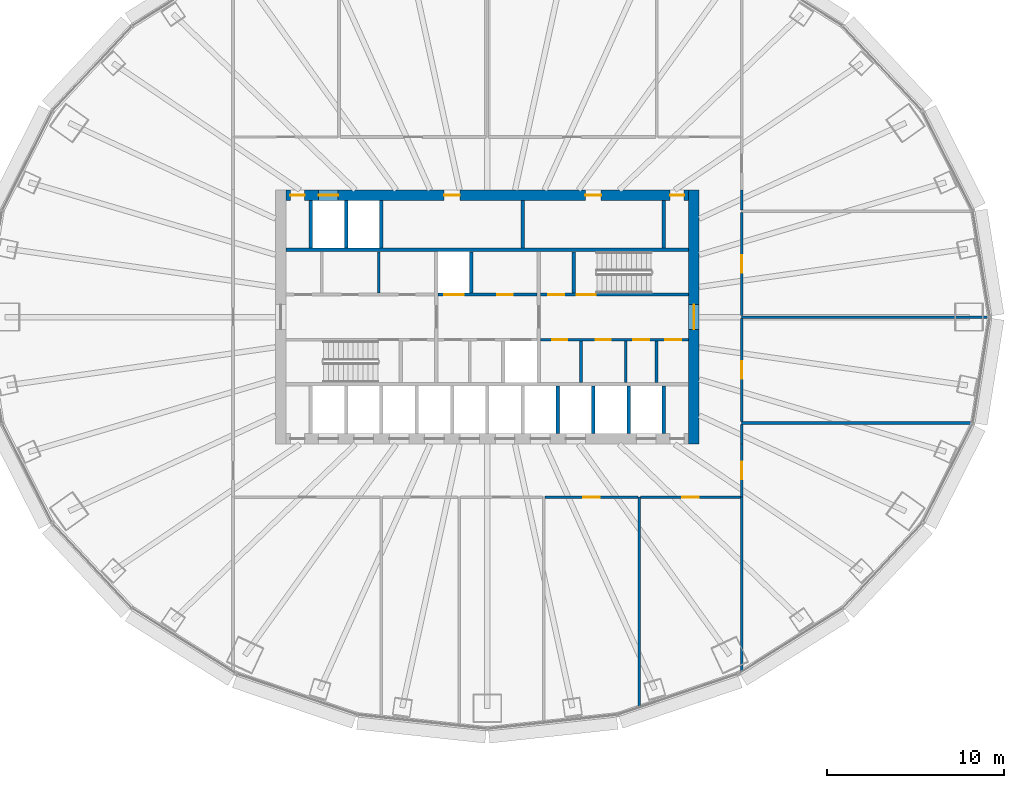
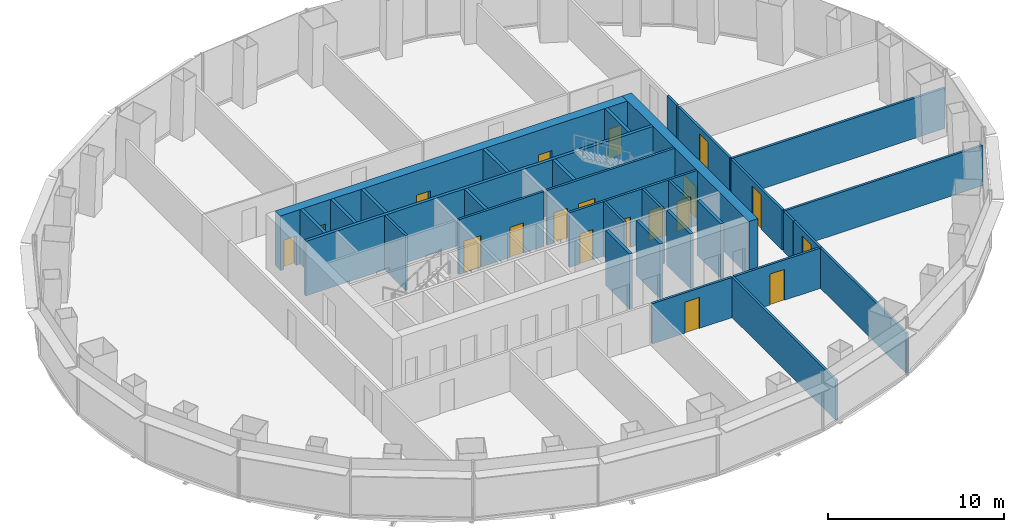
# One storey, part 8 of 13: 32 walls, 19 doors, 19 openings.
"""IFC4 building model written with IfcOpenShell, lengths in metres."""

from ifc_helpers import new_model, si_unit, direction, frame, frame_2d, origin, place, context, subcontext, project, spatial, rectangle, extrude, material, layer, layer_set, type_object, element, fill, save


model = new_model("IFC4")

# Units and contexts
model_context = context("Model", 3, precision=1e-05, world=origin(), true_north=direction((0.0, 1.0)))
body_context = subcontext(model_context, "Body", "Model", "MODEL_VIEW")
ifc_project = project(units=[si_unit("LENGTHUNIT", "METRE"), si_unit("AREAUNIT", "SQUARE_METRE"), si_unit("VOLUMEUNIT", "CUBIC_METRE"), si_unit("PLANEANGLEUNIT", "RADIAN"), si_unit("MASSUNIT", "GRAM", prefix="KILO")], contexts=[model_context])

# Site, building, storey
site_placement = place(None, origin())
site = spatial("IfcSite", under=ifc_project, at=site_placement, CompositionType="ELEMENT")
building_placement = place(site_placement, origin())
building = spatial("IfcBuilding", under=site, at=building_placement, Name="Siaravel Broadcast Tower", CompositionType="ELEMENT")
storey_placement = place(building_placement, frame((0.0, 0.0, 32.89990234375)))
storey = spatial("IfcBuildingStorey", under=building, at=storey_placement, Name="L06", CompositionType="ELEMENT", Elevation=32.89990234375)

# Walls
ifc_material_1 = material(Name="Concrete blockwork", Category="masonry")
ifc_layer_1 = layer(ifc_material_1, 0.14990234375)
ifc_layer_set_1 = layer_set([ifc_layer_1], Name="Concrete blockwork")
wall_type_1 = type_object("IfcWallType", Name="Core partition 150", PredefinedType="PARTITIONING", material=ifc_layer_set_1)
for number, where, z_axis, x_axis, name in (
    (1, (-6.153076171875, 1.35009765625, 0.0), (0.0, 0.0, 1.0), (0.0, 1.0, 0.0), "L06 core partition PNW1"),
    (2, (5.301025390625, -3.699951171875, 0.0), (0.0, 0.0, 1.0), (0.0, 1.0, 0.0), "L06 core partition PSE0"),
    (3, (7.8359375, -3.699951171875, 0.0), (0.0, 0.0, 1.0), (0.0, 1.0, 0.0), "L06 core partition PSE1"),
    (4, (9.575927734375, -3.699951171875, 0.0), (0.0, 0.0, 1.0), (0.0, 1.0, 0.0), "L06 core partition PSE2"),
):
    element("IfcWall", number, at=place(storey_placement, frame(where, z_axis=z_axis, x_axis=x_axis)), inside=storey, type_object=wall_type_1, Name=name, PredefinedType="PARTITIONING", context=body_context, shape_type="SweptSolid", body=[
        extrude(rectangle(XDim=2.349853515625, YDim=0.14990234375, at=frame_2d((1.1748046875, 0.0))), origin(), (0.0, 0.0, 1.0), 3.800048828125),
    ])
ifc_layer_2 = layer(ifc_material_1, 0.199951171875)
ifc_layer_set_2 = layer_set([ifc_layer_2], Name="Concrete blockwork")
wall_type_2 = type_object("IfcWallType", Name="Core partition 200", PredefinedType="PARTITIONING", material=ifc_layer_set_2)
wall_1_placement = place(storey_placement, frame((2.0, 3.89990234375, 0.0), z_axis=(0.0, 0.0, 1.0), x_axis=(0.0, 1.0, 0.0)))
element("IfcWall", 5, at=wall_1_placement, inside=storey, type_object=wall_type_2, Name="L06 core partition PFN2", PredefinedType="PARTITIONING", context=body_context, shape_type="SweptSolid", body=[
    extrude(rectangle(XDim=2.7001953125, YDim=0.199951171875, at=frame_2d((1.35009765625, 0.0))), origin(), (0.0, 0.0, 1.0), 3.800048828125),
])

# Wall, opening, door
ifc_material_2 = material(Name="Concrete C60/75", Category="concrete")
ifc_layer_3 = layer(ifc_material_2, 0.60009765625)
ifc_layer_set_3 = layer_set([ifc_layer_3], Name="Concrete C60/75")
wall_type_3 = type_object("IfcWallType", Name="Core wall 600", PredefinedType="SHEAR", material=ifc_layer_set_3)
wall_2_placement = place(storey_placement, frame((11.699951171875, -7.199951171875, 0.0), z_axis=(0.0, 0.0, 1.0), x_axis=(0.0, 1.0, 0.0)))
wall_2 = element("IfcWall", 6, at=wall_2_placement, inside=storey, type_object=wall_type_3, Name="L06 core wall OE", PredefinedType="SHEAR", context=body_context, shape_type="SweptSolid", body=[
    extrude(rectangle(XDim=14.39990234375, YDim=0.60009765625, at=frame_2d((7.199951171875, 0.0))), origin(), (0.0, 0.0, 1.0), 3.800048828125),
])
opening_1_placement = place(wall_2_placement, frame((6.5, 0.0, 0.0)))
opening_1 = element("IfcOpeningElement", 7, at=opening_1_placement, cuts=wall_2, Name="Opening L06-DX-E", PredefinedType="OPENING", context=body_context, shape_type="SweptSolid", body=[
    extrude(rectangle(XDim=1.39990234375, YDim=2.199951171875, at=frame_2d((0.699951171875, 1.10009765625))), frame((0.0, 0.31005859375, 0.0), z_axis=(0.0, -1.0, 0.0), x_axis=(1.0, 0.0, 0.0)), (0.0, 0.0, 1.0), 0.6201171875),
])
ifc_material_3 = material(Name="Steel", Category="steel")
door_type_1 = type_object("IfcDoorType", Name="Core exit door 1400", OperationType="DOUBLE_DOOR_SINGLE_SWING", PredefinedType="DOOR", material=ifc_material_3)
door_1_placement = place(opening_1_placement, origin())
door_1 = element("IfcDoor", 8, at=door_1_placement, inside=storey, type_object=door_type_1, Name="L06 door DX-E", OperationType="DOUBLE_DOOR_SINGLE_SWING", OverallHeight=2.199951171875, OverallWidth=1.39990234375, PredefinedType="DOOR", context=body_context, shape_type="SweptSolid", body=[
    extrude(rectangle(XDim=1.39990234375, YDim=2.199951171875, at=frame_2d((0.699951171875, 1.10009765625))), frame((0.0, 0.02490234375, 0.0), z_axis=(0.0, -1.0, 0.0), x_axis=(1.0, 0.0, 0.0)), (0.0, 0.0, 1.0), 0.050048828125),
])
fill(opening_1, door_1)

# Wall, openings, doors
wall_3_placement = place(storey_placement, frame((-11.39990234375, 6.89990234375, 0.0), z_axis=(0.0, 0.0, 1.0), x_axis=(1.0, 0.0, 0.0)))
wall_3 = element("IfcWall", 9, at=wall_3_placement, inside=storey, type_object=wall_type_3, Name="L06 core wall ON", PredefinedType="SHEAR", context=body_context, shape_type="SweptSolid", body=[
    extrude(rectangle(XDim=22.7998046875, YDim=0.60009765625, at=frame_2d((11.39990234375, 0.0))), origin(), (0.0, 0.0, 1.0), 3.800048828125),
])
opening_2_placement = place(wall_3_placement, frame((1.85009765625, 0.0, 0.0)))
opening_2 = element("IfcOpeningElement", 10, at=opening_2_placement, cuts=wall_3, Name="Opening LD-SV2-L06", PredefinedType="OPENING", context=body_context, shape_type="SweptSolid", body=[
    extrude(rectangle(XDim=1.10009765625, YDim=2.199951171875, at=frame_2d((0.550048828125, 1.10009765625))), frame((0.0, 0.31005859375, 0.0), z_axis=(0.0, -1.0, 0.0), x_axis=(1.0, 0.0, 0.0)), (0.0, 0.0, 1.0), 0.6201171875),
])
opening_3_placement = place(wall_3_placement, frame((8.949951171875, 0.0, 0.0)))
opening_3 = element("IfcOpeningElement", 11, at=opening_3_placement, cuts=wall_3, Name="Opening L06-DFN2", PredefinedType="OPENING", context=body_context, shape_type="SweptSolid", body=[
    extrude(rectangle(XDim=0.89990234375, YDim=2.10009765625, at=frame_2d((0.449951171875, 1.050048828125))), frame((0.0, 0.31005859375, 0.0), z_axis=(0.0, -1.0, 0.0), x_axis=(1.0, 0.0, 0.0)), (0.0, 0.0, 1.0), 0.6201171875),
])
opening_4_placement = place(wall_3_placement, frame((16.949951171875, 0.0, 0.0)))
opening_4 = element("IfcOpeningElement", 12, at=opening_4_placement, cuts=wall_3, Name="Opening L06-DFN6", PredefinedType="OPENING", context=body_context, shape_type="SweptSolid", body=[
    extrude(rectangle(XDim=0.89990234375, YDim=2.10009765625, at=frame_2d((0.449951171875, 1.050048828125))), frame((0.0, 0.31005859375, 0.0), z_axis=(0.0, -1.0, 0.0), x_axis=(1.0, 0.0, 0.0)), (0.0, 0.0, 1.0), 0.6201171875),
])
opening_5_placement = place(wall_3_placement, frame((0.25, 0.0, 0.0)))
opening_5 = element("IfcOpeningElement", 13, at=opening_5_placement, cuts=wall_3, Name="Opening L06-DRNW", PredefinedType="OPENING", context=body_context, shape_type="SweptSolid", body=[
    extrude(rectangle(XDim=0.800048828125, YDim=2.050048828125, at=frame_2d((0.39990234375, 1.02490234375))), frame((0.0, 0.31005859375, 0.0), z_axis=(0.0, -1.0, 0.0), x_axis=(1.0, 0.0, 0.0)), (0.0, 0.0, 1.0), 0.6201171875),
])
opening_6_placement = place(wall_3_placement, frame((21.75, 0.0, 0.0)))
opening_6 = element("IfcOpeningElement", 14, at=opening_6_placement, cuts=wall_3, Name="Opening L06-DRNE", PredefinedType="OPENING", context=body_context, shape_type="SweptSolid", body=[
    extrude(rectangle(XDim=0.800048828125, YDim=2.050048828125, at=frame_2d((0.39990234375, 1.02490234375))), frame((0.0, 0.31005859375, 0.0), z_axis=(0.0, -1.0, 0.0), x_axis=(1.0, 0.0, 0.0)), (0.0, 0.0, 1.0), 0.6201171875),
])
ifc_material_4 = material(Name="Timber veneer", Category="wood")
door_type_2 = type_object("IfcDoorType", Name="Core room door 900", OperationType="SINGLE_SWING_LEFT", PredefinedType="DOOR", material=ifc_material_4)
door_2_placement = place(opening_3_placement, origin())
door_2 = element("IfcDoor", 15, at=door_2_placement, inside=storey, type_object=door_type_2, Name="L06 door DFN2", OperationType="SINGLE_SWING_LEFT", OverallHeight=2.10009765625, OverallWidth=0.89990234375, PredefinedType="DOOR", context=body_context, shape_type="SweptSolid", body=[
    extrude(rectangle(XDim=0.89990234375, YDim=2.10009765625, at=frame_2d((0.449951171875, 1.050048828125))), frame((0.0, 0.02490234375, 0.0), z_axis=(0.0, -1.0, 0.0), x_axis=(1.0, 0.0, 0.0)), (0.0, 0.0, 1.0), 0.050048828125),
])
fill(opening_3, door_2)
door_3_placement = place(opening_4_placement, origin())
door_3 = element("IfcDoor", 16, at=door_3_placement, inside=storey, type_object=door_type_2, Name="L06 door DFN6", OperationType="SINGLE_SWING_LEFT", OverallHeight=2.10009765625, OverallWidth=0.89990234375, PredefinedType="DOOR", context=body_context, shape_type="SweptSolid", body=[
    extrude(rectangle(XDim=0.89990234375, YDim=2.10009765625, at=frame_2d((0.449951171875, 1.050048828125))), frame((0.0, 0.02490234375, 0.0), z_axis=(0.0, -1.0, 0.0), x_axis=(1.0, 0.0, 0.0)), (0.0, 0.0, 1.0), 0.050048828125),
])
fill(opening_4, door_3)
door_type_3 = type_object("IfcDoorType", Name="Riser door 800", OperationType="SINGLE_SWING_LEFT", PredefinedType="DOOR", material=ifc_material_3)
door_4_placement = place(opening_5_placement, origin())
door_4 = element("IfcDoor", 17, at=door_4_placement, inside=storey, type_object=door_type_3, Name="L06 door DRNW", OperationType="SINGLE_SWING_LEFT", OverallHeight=2.050048828125, OverallWidth=0.800048828125, PredefinedType="DOOR", context=body_context, shape_type="SweptSolid", body=[
    extrude(rectangle(XDim=0.800048828125, YDim=2.050048828125, at=frame_2d((0.39990234375, 1.02490234375))), frame((0.0, 0.02490234375, 0.0), z_axis=(0.0, -1.0, 0.0), x_axis=(1.0, 0.0, 0.0)), (0.0, 0.0, 1.0), 0.050048828125),
])
fill(opening_5, door_4)
door_5_placement = place(opening_6_placement, origin())
door_5 = element("IfcDoor", 18, at=door_5_placement, inside=storey, type_object=door_type_3, Name="L06 door DRNE", OperationType="SINGLE_SWING_LEFT", OverallHeight=2.050048828125, OverallWidth=0.800048828125, PredefinedType="DOOR", context=body_context, shape_type="SweptSolid", body=[
    extrude(rectangle(XDim=0.800048828125, YDim=2.050048828125, at=frame_2d((0.39990234375, 1.02490234375))), frame((0.0, 0.02490234375, 0.0), z_axis=(0.0, -1.0, 0.0), x_axis=(1.0, 0.0, 0.0)), (0.0, 0.0, 1.0), 0.050048828125),
])
fill(opening_6, door_5)
ifc_material_5 = material(Name="Stainless steel 316L", Category="steel")
door_type_4 = type_object("IfcDoorType", Name="Service lift landing door 1100", OperationType="DOUBLE_DOOR_SLIDING", PredefinedType="DOOR", material=ifc_material_5)
door_6_placement = place(opening_2_placement, origin())
door_6 = element("IfcDoor", 19, at=door_6_placement, inside=storey, type_object=door_type_4, Name="Landing door SV2 L06", OperationType="DOUBLE_DOOR_SLIDING", OverallHeight=2.199951171875, OverallWidth=1.10009765625, PredefinedType="DOOR", context=body_context, shape_type="SweptSolid", body=[
    extrude(rectangle(XDim=1.10009765625, YDim=2.199951171875, at=frame_2d((0.550048828125, 1.10009765625))), frame((0.0, 0.02490234375, 0.0), z_axis=(0.0, -1.0, 0.0), x_axis=(1.0, 0.0, 0.0)), (0.0, 0.0, 1.0), 0.050048828125),
])
fill(opening_2, door_6)

ifc_material_6 = material(Name="Gypsum board partition", Category="gypsum")
ifc_layer_4 = layer(ifc_material_6, 0.14990234375)
ifc_layer_set_4 = layer_set([ifc_layer_4], Name="Gypsum board partition")
wall_type_4 = type_object("IfcWallType", Name="Corridor wall 150", PredefinedType="PARTITIONING", material=ifc_layer_set_4)
wall_4_placement = place(storey_placement, frame((3.0, -1.27490234375, 0.0), z_axis=(0.0, 0.0, 1.0), x_axis=(1.0, 0.0, 0.0)))
wall_4 = element("IfcWall", 20, at=wall_4_placement, inside=storey, type_object=wall_type_4, Name="L06 core partition CSE", PredefinedType="PARTITIONING", context=body_context, shape_type="SweptSolid", body=[
    extrude(rectangle(XDim=8.39990234375, YDim=0.14990234375, at=frame_2d((4.199951171875, 0.0))), origin(), (0.0, 0.0, 1.0), 3.800048828125),
])
opening_7_placement = place(wall_4_placement, frame((0.68798828125, 0.0, 0.0)))
opening_7 = element("IfcOpeningElement", 21, at=opening_7_placement, cuts=wall_4, Name="Opening L06-DSE0", PredefinedType="OPENING", context=body_context, shape_type="SweptSolid", body=[
    extrude(rectangle(XDim=0.85009765625, YDim=2.10009765625, at=frame_2d((0.425048828125, 1.050048828125))), frame((0.0, 0.0849609375, 0.0), z_axis=(0.0, -1.0, 0.0), x_axis=(1.0, 0.0, 0.0)), (0.0, 0.0, 1.0), 0.169921875),
])
opening_8_placement = place(wall_4_placement, frame((3.1435546875, 0.0, 0.0)))
opening_8 = element("IfcOpeningElement", 22, at=opening_8_placement, cuts=wall_4, Name="Opening L06-DSE1", PredefinedType="OPENING", context=body_context, shape_type="SweptSolid", body=[
    extrude(rectangle(XDim=0.85009765625, YDim=2.10009765625, at=frame_2d((0.425048828125, 1.050048828125))), frame((0.0, 0.0849609375, 0.0), z_axis=(0.0, -1.0, 0.0), x_axis=(1.0, 0.0, 0.0)), (0.0, 0.0, 1.0), 0.169921875),
])
opening_9_placement = place(wall_4_placement, frame((5.256103515625, 0.0, 0.0)))
opening_9 = element("IfcOpeningElement", 23, at=opening_9_placement, cuts=wall_4, Name="Opening L06-DSE2", PredefinedType="OPENING", context=body_context, shape_type="SweptSolid", body=[
    extrude(rectangle(XDim=0.89990234375, YDim=2.10009765625, at=frame_2d((0.449951171875, 1.050048828125))), frame((0.0, 0.0849609375, 0.0), z_axis=(0.0, -1.0, 0.0), x_axis=(1.0, 0.0, 0.0)), (0.0, 0.0, 1.0), 0.169921875),
])
opening_10_placement = place(wall_4_placement, frame((7.075439453125, 0.0, 0.0)))
opening_10 = element("IfcOpeningElement", 24, at=opening_10_placement, cuts=wall_4, Name="Opening L06-DSE3", PredefinedType="OPENING", context=body_context, shape_type="SweptSolid", body=[
    extrude(rectangle(XDim=0.89990234375, YDim=2.10009765625, at=frame_2d((0.449951171875, 1.050048828125))), frame((0.0, 0.0849609375, 0.0), z_axis=(0.0, -1.0, 0.0), x_axis=(1.0, 0.0, 0.0)), (0.0, 0.0, 1.0), 0.169921875),
])
door_7_placement = place(opening_9_placement, origin())
door_7 = element("IfcDoor", 25, at=door_7_placement, inside=storey, type_object=door_type_2, Name="L06 door DSE2", OperationType="SINGLE_SWING_LEFT", OverallHeight=2.10009765625, OverallWidth=0.89990234375, PredefinedType="DOOR", context=body_context, shape_type="SweptSolid", body=[
    extrude(rectangle(XDim=0.89990234375, YDim=2.10009765625, at=frame_2d((0.449951171875, 1.050048828125))), frame((0.0, 0.02490234375, 0.0), z_axis=(0.0, -1.0, 0.0), x_axis=(1.0, 0.0, 0.0)), (0.0, 0.0, 1.0), 0.050048828125),
])
fill(opening_9, door_7)
door_8_placement = place(opening_10_placement, origin())
door_8 = element("IfcDoor", 26, at=door_8_placement, inside=storey, type_object=door_type_2, Name="L06 door DSE3", OperationType="SINGLE_SWING_LEFT", OverallHeight=2.10009765625, OverallWidth=0.89990234375, PredefinedType="DOOR", context=body_context, shape_type="SweptSolid", body=[
    extrude(rectangle(XDim=0.89990234375, YDim=2.10009765625, at=frame_2d((0.449951171875, 1.050048828125))), frame((0.0, 0.02490234375, 0.0), z_axis=(0.0, -1.0, 0.0), x_axis=(1.0, 0.0, 0.0)), (0.0, 0.0, 1.0), 0.050048828125),
])
fill(opening_10, door_8)
door_type_5 = type_object("IfcDoorType", Name="Core toilet door 850", OperationType="SINGLE_SWING_LEFT", PredefinedType="DOOR", material=ifc_material_4)
door_9_placement = place(opening_7_placement, origin())
door_9 = element("IfcDoor", 27, at=door_9_placement, inside=storey, type_object=door_type_5, Name="L06 door DSE0", OperationType="SINGLE_SWING_LEFT", OverallHeight=2.10009765625, OverallWidth=0.85009765625, PredefinedType="DOOR", context=body_context, shape_type="SweptSolid", body=[
    extrude(rectangle(XDim=0.85009765625, YDim=2.10009765625, at=frame_2d((0.425048828125, 1.050048828125))), frame((0.0, 0.02490234375, 0.0), z_axis=(0.0, -1.0, 0.0), x_axis=(1.0, 0.0, 0.0)), (0.0, 0.0, 1.0), 0.050048828125),
])
fill(opening_7, door_9)
door_10_placement = place(opening_8_placement, origin())
door_10 = element("IfcDoor", 28, at=door_10_placement, inside=storey, type_object=door_type_5, Name="L06 door DSE1", OperationType="SINGLE_SWING_LEFT", OverallHeight=2.10009765625, OverallWidth=0.85009765625, PredefinedType="DOOR", context=body_context, shape_type="SweptSolid", body=[
    extrude(rectangle(XDim=0.85009765625, YDim=2.10009765625, at=frame_2d((0.425048828125, 1.050048828125))), frame((0.0, 0.02490234375, 0.0), z_axis=(0.0, -1.0, 0.0), x_axis=(1.0, 0.0, 0.0)), (0.0, 0.0, 1.0), 0.050048828125),
])
fill(opening_8, door_10)

# Wall, opening, door
wall_5_placement = place(storey_placement, frame((14.39990234375, -5.923095703125, 0.0), z_axis=(0.0, 0.0, 1.0), x_axis=(0.0, 1.0, 0.0)))
wall_5 = element("IfcWall", 29, at=wall_5_placement, inside=storey, type_object=wall_type_4, Name="L06 partition 20", PredefinedType="PARTITIONING", context=body_context, shape_type="SweptSolid", body=[
    extrude(rectangle(XDim=5.84619140625, YDim=0.14990234375, at=frame_2d((2.923095703125, 0.0))), origin(), (0.0, 0.0, 1.0), 2.800048828125),
])
opening_11_placement = place(wall_5_placement, frame((2.423095703125, 0.0, 0.0)))
opening_11 = element("IfcOpeningElement", 30, at=opening_11_placement, cuts=wall_5, Name="Opening L06-004", PredefinedType="OPENING", context=body_context, shape_type="SweptSolid", body=[
    extrude(rectangle(XDim=1.0, YDim=2.39990234375, at=frame_2d((0.5, 1.199951171875))), frame((0.0, 0.0849609375, 0.0), z_axis=(0.0, -1.0, 0.0), x_axis=(1.0, 0.0, 0.0)), (0.0, 0.0, 1.0), 0.169921875),
])
door_type_6 = type_object("IfcDoorType", Name="Executive office door 1000", OperationType="SINGLE_SWING_LEFT", PredefinedType="DOOR", material=ifc_material_4)
door_11_placement = place(opening_11_placement, origin())
door_11 = element("IfcDoor", 31, at=door_11_placement, inside=storey, type_object=door_type_6, Name="L06 door to Executive reception", OperationType="SINGLE_SWING_RIGHT", OverallHeight=2.39990234375, OverallWidth=1.0, PredefinedType="DOOR", context=body_context, shape_type="SweptSolid", body=[
    extrude(rectangle(XDim=1.0, YDim=2.39990234375, at=frame_2d((0.5, 1.199951171875))), frame((0.0, 0.02490234375, 0.0), z_axis=(0.0, -1.0, 0.0), x_axis=(1.0, 0.0, 0.0)), (0.0, 0.0, 1.0), 0.050048828125),
])
fill(opening_11, door_11)

wall_6_placement = place(storey_placement, frame((14.39990234375, 0.076904296875, 0.0), z_axis=(0.0, 0.0, 1.0), x_axis=(0.0, 1.0, 0.0)))
wall_6 = element("IfcWall", 32, at=wall_6_placement, inside=storey, type_object=wall_type_4, Name="L06 partition 21", PredefinedType="PARTITIONING", context=body_context, shape_type="SweptSolid", body=[
    extrude(rectangle(XDim=5.84619140625, YDim=0.14990234375, at=frame_2d((2.923095703125, 0.0))), origin(), (0.0, 0.0, 1.0), 2.800048828125),
])
opening_12_placement = place(wall_6_placement, frame((2.423095703125, 0.0, 0.0)))
opening_12 = element("IfcOpeningElement", 33, at=opening_12_placement, cuts=wall_6, Name="Opening L06-005", PredefinedType="OPENING", context=body_context, shape_type="SweptSolid", body=[
    extrude(rectangle(XDim=1.0, YDim=2.39990234375, at=frame_2d((0.5, 1.199951171875))), frame((0.0, 0.0849609375, 0.0), z_axis=(0.0, -1.0, 0.0), x_axis=(1.0, 0.0, 0.0)), (0.0, 0.0, 1.0), 0.169921875),
])
door_12_placement = place(opening_12_placement, origin())
door_12 = element("IfcDoor", 34, at=door_12_placement, inside=storey, type_object=door_type_6, Name="L06 door to Executive office", OperationType="SINGLE_SWING_LEFT", OverallHeight=2.39990234375, OverallWidth=1.0, PredefinedType="DOOR", context=body_context, shape_type="SweptSolid", body=[
    extrude(rectangle(XDim=1.0, YDim=2.39990234375, at=frame_2d((0.5, 1.199951171875))), frame((0.0, 0.02490234375, 0.0), z_axis=(0.0, -1.0, 0.0), x_axis=(1.0, 0.0, 0.0)), (0.0, 0.0, 1.0), 0.050048828125),
])
fill(opening_12, door_12)

wall_7_placement = place(storey_placement, frame((8.677001953125, -10.199951171875, 0.0), z_axis=(0.0, 0.0, 1.0), x_axis=(1.0, 0.0, 0.0)))
wall_7 = element("IfcWall", 35, at=wall_7_placement, inside=storey, type_object=wall_type_4, Name="L06 partition 22", PredefinedType="PARTITIONING", context=body_context, shape_type="SweptSolid", body=[
    extrude(rectangle(XDim=5.64599609375, YDim=0.14990234375, at=frame_2d((2.822998046875, 0.0))), origin(), (0.0, 0.0, 1.0), 2.800048828125),
])
opening_13_placement = place(wall_7_placement, frame((2.347900390625, 0.0, 0.0)))
opening_13 = element("IfcOpeningElement", 36, at=opening_13_placement, cuts=wall_7, Name="Opening L06-015", PredefinedType="OPENING", context=body_context, shape_type="SweptSolid", body=[
    extrude(rectangle(XDim=0.949951171875, YDim=2.14990234375, at=frame_2d((0.47509765625, 1.074951171875))), frame((0.0, 0.0849609375, 0.0), z_axis=(0.0, -1.0, 0.0), x_axis=(1.0, 0.0, 0.0)), (0.0, 0.0, 1.0), 0.169921875),
])
door_type_7 = type_object("IfcDoorType", Name="Office door 950", OperationType="SINGLE_SWING_LEFT", PredefinedType="DOOR", material=ifc_material_4)
door_13_placement = place(opening_13_placement, origin())
door_13 = element("IfcDoor", 37, at=door_13_placement, inside=storey, type_object=door_type_7, Name="L06 door to Maintenance store", OperationType="SINGLE_SWING_LEFT", OverallHeight=2.14990234375, OverallWidth=0.949951171875, PredefinedType="DOOR", context=body_context, shape_type="SweptSolid", body=[
    extrude(rectangle(XDim=0.949951171875, YDim=2.14990234375, at=frame_2d((0.47509765625, 1.074951171875))), frame((0.0, 0.02490234375, 0.0), z_axis=(0.0, -1.0, 0.0), x_axis=(1.0, 0.0, 0.0)), (0.0, 0.0, 1.0), 0.050048828125),
])
fill(opening_13, door_13)

wall_8_placement = place(storey_placement, frame((3.277099609375, -10.199951171875, 0.0), z_axis=(0.0, 0.0, 1.0), x_axis=(1.0, 0.0, 0.0)))
wall_8 = element("IfcWall", 38, at=wall_8_placement, inside=storey, type_object=wall_type_4, Name="L06 partition 23", PredefinedType="PARTITIONING", context=body_context, shape_type="SweptSolid", body=[
    extrude(rectangle(XDim=5.245849609375, YDim=0.14990234375, at=frame_2d((2.623046875, 0.0))), origin(), (0.0, 0.0, 1.0), 2.800048828125),
])
opening_14_placement = place(wall_8_placement, frame((2.14794921875, 0.0, 0.0)))
opening_14 = element("IfcOpeningElement", 39, at=opening_14_placement, cuts=wall_8, Name="Opening L06-014", PredefinedType="OPENING", context=body_context, shape_type="SweptSolid", body=[
    extrude(rectangle(XDim=0.949951171875, YDim=2.14990234375, at=frame_2d((0.47509765625, 1.074951171875))), frame((0.0, 0.0849609375, 0.0), z_axis=(0.0, -1.0, 0.0), x_axis=(1.0, 0.0, 0.0)), (0.0, 0.0, 1.0), 0.169921875),
])
door_14_placement = place(opening_14_placement, origin())
door_14 = element("IfcDoor", 40, at=door_14_placement, inside=storey, type_object=door_type_7, Name="L06 door to Engineering workshop", OperationType="SINGLE_SWING_RIGHT", OverallHeight=2.14990234375, OverallWidth=0.949951171875, PredefinedType="DOOR", context=body_context, shape_type="SweptSolid", body=[
    extrude(rectangle(XDim=0.949951171875, YDim=2.14990234375, at=frame_2d((0.47509765625, 1.074951171875))), frame((0.0, 0.02490234375, 0.0), z_axis=(0.0, -1.0, 0.0), x_axis=(1.0, 0.0, 0.0)), (0.0, 0.0, 1.0), 0.050048828125),
])
fill(opening_14, door_14)

wall_9_placement = place(storey_placement, frame((14.39990234375, -10.198974609375, 0.0), z_axis=(0.0, 0.0, 1.0), x_axis=(0.0, 1.0, 0.0)))
wall_9 = element("IfcWall", 41, at=wall_9_placement, inside=storey, type_object=wall_type_4, Name="L06 partition 29", PredefinedType="PARTITIONING", context=body_context, shape_type="SweptSolid", body=[
    extrude(rectangle(XDim=3.010986328125, YDim=0.14990234375, at=frame_2d((1.50537109375, 0.0))), origin(), (0.0, 0.0, 1.0), 2.800048828125),
])
opening_15_placement = place(wall_9_placement, frame((1.005615234375, 0.0, 0.0)))
opening_15 = element("IfcOpeningElement", 42, at=opening_15_placement, cuts=wall_9, Name="Opening L06-003", PredefinedType="OPENING", context=body_context, shape_type="SweptSolid", body=[
    extrude(rectangle(XDim=1.0, YDim=2.39990234375, at=frame_2d((0.5, 1.199951171875))), frame((0.0, 0.0849609375, 0.0), z_axis=(0.0, -1.0, 0.0), x_axis=(1.0, 0.0, 0.0)), (0.0, 0.0, 1.0), 0.169921875),
])
door_15_placement = place(opening_15_placement, origin())
door_15 = element("IfcDoor", 43, at=door_15_placement, inside=storey, type_object=door_type_6, Name="L06 door to Executive office", OperationType="SINGLE_SWING_LEFT", OverallHeight=2.39990234375, OverallWidth=1.0, PredefinedType="DOOR", context=body_context, shape_type="SweptSolid", body=[
    extrude(rectangle(XDim=1.0, YDim=2.39990234375, at=frame_2d((0.5, 1.199951171875))), frame((0.0, 0.02490234375, 0.0), z_axis=(0.0, -1.0, 0.0), x_axis=(1.0, 0.0, 0.0)), (0.0, 0.0, 1.0), 0.050048828125),
])
fill(opening_15, door_15)

# Walls
for number, where, z_axis, x_axis, name in (
    (44, (14.39990234375, -7.18701171875, 0.0), (0.0, 0.0, 1.0), (0.0, 1.0, 0.0), "L06 partition 31"),
    (45, (14.39990234375, 6.076904296875, 0.0), (0.0, 0.0, 1.0), (0.0, 1.0, 0.0), "L06 partition 32"),
):
    element("IfcWall", number, at=place(storey_placement, frame(where, z_axis=z_axis, x_axis=x_axis)), inside=storey, type_object=wall_type_4, Name=name, PredefinedType="PARTITIONING", context=body_context, shape_type="SweptSolid", body=[
        extrude(rectangle(XDim=1.110107421875, YDim=0.14990234375, at=frame_2d((0.55517578125, 0.0))), origin(), (0.0, 0.0, 1.0), 2.800048828125),
    ])
ifc_layer_5 = layer(ifc_material_6, 0.14990234375)
ifc_layer_set_5 = layer_set([ifc_layer_5], Name="Gypsum board partition")
wall_type_5 = type_object("IfcWallType", Name="Room partition 150", PredefinedType="PARTITIONING", material=ifc_layer_set_5)
wall_10_placement = place(storey_placement, frame((28.403564453125, 0.0, 0.0), z_axis=(0.0, 0.0, 1.0), x_axis=(-1.0, 0.0, 0.0)))
element("IfcWall", 46, at=wall_10_placement, inside=storey, type_object=wall_type_5, Name="L06 partition 2", PredefinedType="PARTITIONING", context=body_context, shape_type="SweptSolid", body=[
    extrude(rectangle(XDim=14.003662109375, YDim=0.14990234375, at=frame_2d((7.001953125, 0.0))), origin(), (0.0, 0.0, 1.0), 2.800048828125),
])
wall_11_placement = place(storey_placement, frame((27.439208984375, -6.0, 0.0), z_axis=(0.0, 0.0, 1.0), x_axis=(-1.0, 0.0, 0.0)))
element("IfcWall", 47, at=wall_11_placement, inside=storey, type_object=wall_type_5, Name="L06 partition 4", PredefinedType="PARTITIONING", context=body_context, shape_type="SweptSolid", body=[
    extrude(rectangle(XDim=13.039306640625, YDim=0.14990234375, at=frame_2d((6.51953125, 0.0))), origin(), (0.0, 0.0, 1.0), 2.800048828125),
])
wall_12_placement = place(storey_placement, frame((8.60009765625, -22.0517578125, 0.0), z_axis=(0.0, 0.0, 1.0), x_axis=(0.0, 1.0, 0.0)))
element("IfcWall", 48, at=wall_12_placement, inside=storey, type_object=wall_type_5, Name="L06 partition 10", PredefinedType="PARTITIONING", context=body_context, shape_type="SweptSolid", body=[
    extrude(rectangle(XDim=11.851806640625, YDim=0.14990234375, at=frame_2d((5.92578125, 0.0))), origin(), (0.0, 0.0, 1.0), 2.800048828125),
])
wall_13_placement = place(storey_placement, frame((14.39990234375, -10.199951171875, 0.0), z_axis=(0.0, 0.0, 1.0), x_axis=(0.0, -1.0, 0.0)))
element("IfcWall", 49, at=wall_13_placement, inside=storey, type_object=wall_type_5, Name="L06 partition 14", PredefinedType="PARTITIONING", context=body_context, shape_type="SweptSolid", body=[
    extrude(rectangle(XDim=9.832763671875, YDim=0.14990234375, at=frame_2d((4.91650390625, 0.0))), origin(), (0.0, 0.0, 1.0), 2.800048828125),
])

# Wall, openings, doors
ifc_layer_6 = layer(ifc_material_2, 0.14990234375)
ifc_layer_set_6 = layer_set([ifc_layer_6], Name="Concrete C60/75")
wall_type_6 = type_object("IfcWallType", Name="Shaft wall 150", PredefinedType="SHEAR", material=ifc_layer_set_6)
wall_14_placement = place(storey_placement, frame((-2.800048828125, 1.27490234375, 0.0), z_axis=(0.0, 0.0, 1.0), x_axis=(1.0, 0.0, 0.0)))
wall_14 = element("IfcWall", 50, at=wall_14_placement, inside=storey, type_object=wall_type_6, Name="L06 core wall CNM", PredefinedType="SHEAR", context=body_context, shape_type="SweptSolid", body=[
    extrude(rectangle(XDim=5.60009765625, YDim=0.14990234375, at=frame_2d((2.800048828125, 0.0))), origin(), (0.0, 0.0, 1.0), 3.800048828125),
])
opening_16_placement = place(wall_14_placement, frame((0.35009765625, 0.0, 0.0)))
opening_16 = element("IfcOpeningElement", 51, at=opening_16_placement, cuts=wall_14, Name="Opening LD-FL1-L06", PredefinedType="OPENING", context=body_context, shape_type="SweptSolid", body=[
    extrude(rectangle(XDim=1.10009765625, YDim=2.199951171875, at=frame_2d((0.550048828125, 1.10009765625))), frame((0.0, 0.0849609375, 0.0), z_axis=(0.0, -1.0, 0.0), x_axis=(1.0, 0.0, 0.0)), (0.0, 0.0, 1.0), 0.169921875),
])
opening_17_placement = place(wall_14_placement, frame((3.35009765625, 0.0, 0.0)))
opening_17 = element("IfcOpeningElement", 52, at=opening_17_placement, cuts=wall_14, Name="Opening L06-DNM0", PredefinedType="OPENING", context=body_context, shape_type="SweptSolid", body=[
    extrude(rectangle(XDim=0.89990234375, YDim=2.10009765625, at=frame_2d((0.449951171875, 1.050048828125))), frame((0.0, 0.0849609375, 0.0), z_axis=(0.0, -1.0, 0.0), x_axis=(1.0, 0.0, 0.0)), (0.0, 0.0, 1.0), 0.169921875),
])
door_16_placement = place(opening_17_placement, origin())
door_16 = element("IfcDoor", 53, at=door_16_placement, inside=storey, type_object=door_type_2, Name="L06 door DNM0", OperationType="SINGLE_SWING_LEFT", OverallHeight=2.10009765625, OverallWidth=0.89990234375, PredefinedType="DOOR", context=body_context, shape_type="SweptSolid", body=[
    extrude(rectangle(XDim=0.89990234375, YDim=2.10009765625, at=frame_2d((0.449951171875, 1.050048828125))), frame((0.0, 0.02490234375, 0.0), z_axis=(0.0, -1.0, 0.0), x_axis=(1.0, 0.0, 0.0)), (0.0, 0.0, 1.0), 0.050048828125),
])
fill(opening_17, door_16)
door_type_8 = type_object("IfcDoorType", Name="Firefighting lift landing door 1100", OperationType="DOUBLE_DOOR_SLIDING", PredefinedType="DOOR", material=ifc_material_5)
door_17_placement = place(opening_16_placement, origin())
door_17 = element("IfcDoor", 54, at=door_17_placement, inside=storey, type_object=door_type_8, Name="Landing door FL1 L06", OperationType="DOUBLE_DOOR_SLIDING", OverallHeight=2.199951171875, OverallWidth=1.10009765625, PredefinedType="DOOR", context=body_context, shape_type="SweptSolid", body=[
    extrude(rectangle(XDim=1.10009765625, YDim=2.199951171875, at=frame_2d((0.550048828125, 1.10009765625))), frame((0.0, 0.02490234375, 0.0), z_axis=(0.0, -1.0, 0.0), x_axis=(1.0, 0.0, 0.0)), (0.0, 0.0, 1.0), 0.050048828125),
])
fill(opening_16, door_17)

wall_15_placement = place(storey_placement, frame((3.0, 1.27490234375, 0.0), z_axis=(0.0, 0.0, 1.0), x_axis=(1.0, 0.0, 0.0)))
wall_15 = element("IfcWall", 55, at=wall_15_placement, inside=storey, type_object=wall_type_6, Name="L06 core wall CNE", PredefinedType="SHEAR", context=body_context, shape_type="SweptSolid", body=[
    extrude(rectangle(XDim=8.39990234375, YDim=0.14990234375, at=frame_2d((4.199951171875, 0.0))), origin(), (0.0, 0.0, 1.0), 3.800048828125),
])
opening_18_placement = place(wall_15_placement, frame((2.050048828125, 0.0, 0.0)))
opening_18 = element("IfcOpeningElement", 56, at=opening_18_placement, cuts=wall_15, Name="Opening L06-DS-2", PredefinedType="OPENING", context=body_context, shape_type="SweptSolid", body=[
    extrude(rectangle(XDim=1.10009765625, YDim=2.14990234375, at=frame_2d((0.550048828125, 1.074951171875))), frame((0.0, 0.0849609375, 0.0), z_axis=(0.0, -1.0, 0.0), x_axis=(1.0, 0.0, 0.0)), (0.0, 0.0, 1.0), 0.169921875),
])
opening_19_placement = place(wall_15_placement, frame((0.449951171875, 0.0, 0.0)))
opening_19 = element("IfcOpeningElement", 57, at=opening_19_placement, cuts=wall_15, Name="Opening L06-DNE0", PredefinedType="OPENING", context=body_context, shape_type="SweptSolid", body=[
    extrude(rectangle(XDim=0.89990234375, YDim=2.10009765625, at=frame_2d((0.449951171875, 1.050048828125))), frame((0.0, 0.0849609375, 0.0), z_axis=(0.0, -1.0, 0.0), x_axis=(1.0, 0.0, 0.0)), (0.0, 0.0, 1.0), 0.169921875),
])
door_18_placement = place(opening_19_placement, origin())
door_18 = element("IfcDoor", 58, at=door_18_placement, inside=storey, type_object=door_type_2, Name="L06 door DNE0", OperationType="SINGLE_SWING_LEFT", OverallHeight=2.10009765625, OverallWidth=0.89990234375, PredefinedType="DOOR", context=body_context, shape_type="SweptSolid", body=[
    extrude(rectangle(XDim=0.89990234375, YDim=2.10009765625, at=frame_2d((0.449951171875, 1.050048828125))), frame((0.0, 0.02490234375, 0.0), z_axis=(0.0, -1.0, 0.0), x_axis=(1.0, 0.0, 0.0)), (0.0, 0.0, 1.0), 0.050048828125),
])
fill(opening_19, door_18)
door_type_9 = type_object("IfcDoorType", Name="Stair door 1100", OperationType="SINGLE_SWING_LEFT", PredefinedType="DOOR", material=ifc_material_3)
door_19_placement = place(opening_18_placement, origin())
door_19 = element("IfcDoor", 59, at=door_19_placement, inside=storey, type_object=door_type_9, Name="L06 door DS-2", OperationType="SINGLE_SWING_LEFT", OverallHeight=2.14990234375, OverallWidth=1.10009765625, PredefinedType="DOOR", context=body_context, shape_type="SweptSolid", body=[
    extrude(rectangle(XDim=1.10009765625, YDim=2.14990234375, at=frame_2d((0.550048828125, 1.074951171875))), frame((0.0, 0.02490234375, 0.0), z_axis=(0.0, -1.0, 0.0), x_axis=(1.0, 0.0, 0.0)), (0.0, 0.0, 1.0), 0.050048828125),
])
fill(opening_18, door_19)

# Walls
ifc_layer_7 = layer(ifc_material_2, 0.199951171875)
ifc_layer_set_7 = layer_set([ifc_layer_7], Name="Concrete C60/75")
wall_type_7 = type_object("IfcWallType", Name="Shaft wall 200", PredefinedType="SHEAR", material=ifc_layer_set_7)
wall_16_placement = place(storey_placement, frame((-11.39990234375, 3.800048828125, 0.0), z_axis=(0.0, 0.0, 1.0), x_axis=(1.0, 0.0, 0.0)))
element("IfcWall", 60, at=wall_16_placement, inside=storey, type_object=wall_type_7, Name="L06 core wall BN", PredefinedType="SHEAR", context=body_context, shape_type="SweptSolid", body=[
    extrude(rectangle(XDim=22.7998046875, YDim=0.199951171875, at=frame_2d((11.39990234375, 0.0))), origin(), (0.0, 0.0, 1.0), 3.800048828125),
])
for number, where, z_axis, x_axis, name in (
    (61, (4.0, -6.60009765625, 0.0), (0.0, 0.0, 1.0), (0.0, 1.0, 0.0), "L06 core wall SWS7"),
    (62, (6.0, -6.60009765625, 0.0), (0.0, 0.0, 1.0), (0.0, 1.0, 0.0), "L06 core wall SWS8"),
    (63, (8.0, -6.60009765625, 0.0), (0.0, 0.0, 1.0), (0.0, 1.0, 0.0), "L06 core wall SWS9"),
    (64, (10.0, -6.60009765625, 0.0), (0.0, 0.0, 1.0), (0.0, 1.0, 0.0), "L06 core wall SWS10"),
    (65, (-10.0, 3.89990234375, 0.0), (0.0, 0.0, 1.0), (0.0, 1.0, 0.0), "L06 core wall SWN0"),
    (66, (-8.0, 3.89990234375, 0.0), (0.0, 0.0, 1.0), (0.0, 1.0, 0.0), "L06 core wall SWN1"),
    (67, (-6.0, 3.89990234375, 0.0), (0.0, 0.0, 1.0), (0.0, 1.0, 0.0), "L06 core wall SWN2"),
    (68, (10.0, 3.89990234375, 0.0), (0.0, 0.0, 1.0), (0.0, 1.0, 0.0), "L06 core wall SWN10"),
):
    element("IfcWall", number, at=place(storey_placement, frame(where, z_axis=z_axis, x_axis=x_axis)), inside=storey, type_object=wall_type_7, Name=name, PredefinedType="SHEAR", context=body_context, shape_type="SweptSolid", body=[
        extrude(rectangle(XDim=2.7001953125, YDim=0.199951171875, at=frame_2d((1.35009765625, 0.0))), origin(), (0.0, 0.0, 1.0), 3.800048828125),
    ])
for number, where, z_axis, x_axis, name in (
    (69, (-0.89990234375, 1.35009765625, 0.0), (0.0, 0.0, 1.0), (0.0, 1.0, 0.0), "L06 core wall FF1E"),
    (70, (4.89990234375, 1.35009765625, 0.0), (0.0, 0.0, 1.0), (0.0, 1.0, 0.0), "L06 core wall ST2W"),
):
    element("IfcWall", number, at=place(storey_placement, frame(where, z_axis=z_axis, x_axis=x_axis)), inside=storey, type_object=wall_type_7, Name=name, PredefinedType="SHEAR", context=body_context, shape_type="SweptSolid", body=[
        extrude(rectangle(XDim=2.349853515625, YDim=0.199951171875, at=frame_2d((1.1748046875, 0.0))), origin(), (0.0, 0.0, 1.0), 3.800048828125),
    ])

save(model, "model.ifc")
